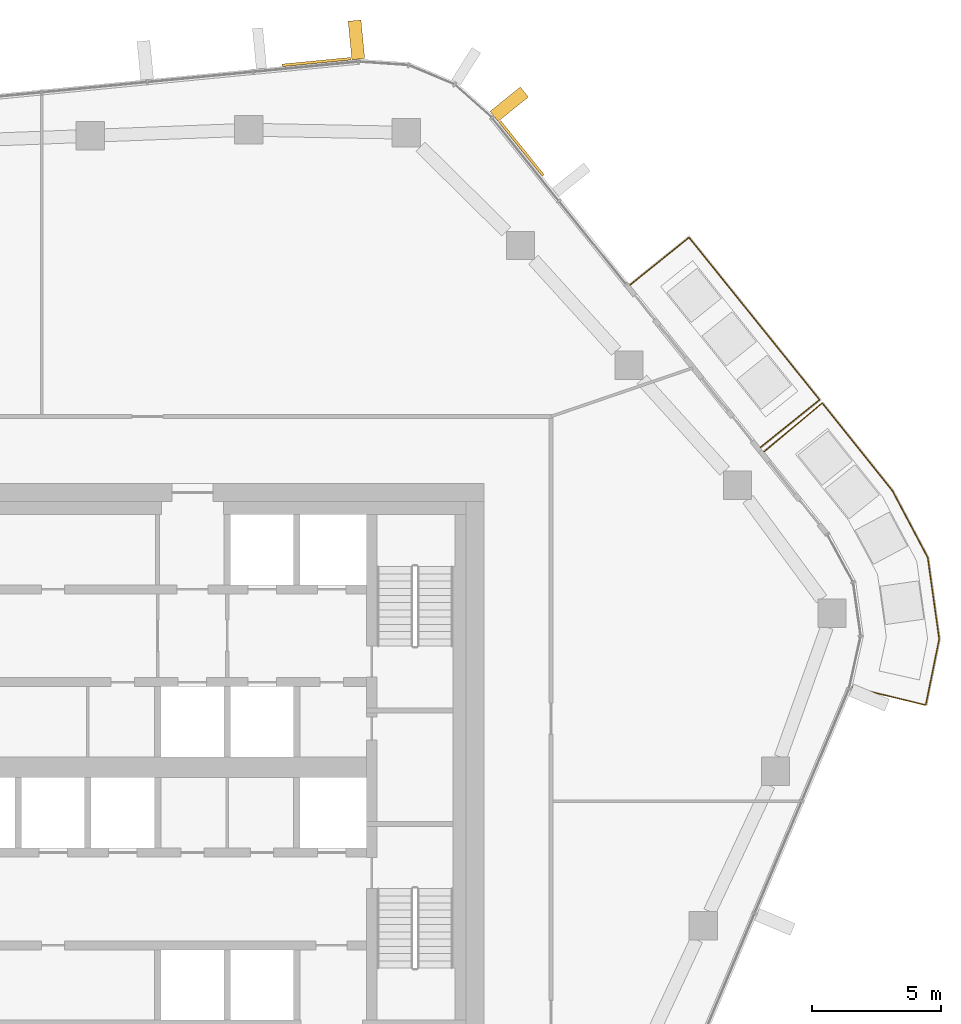
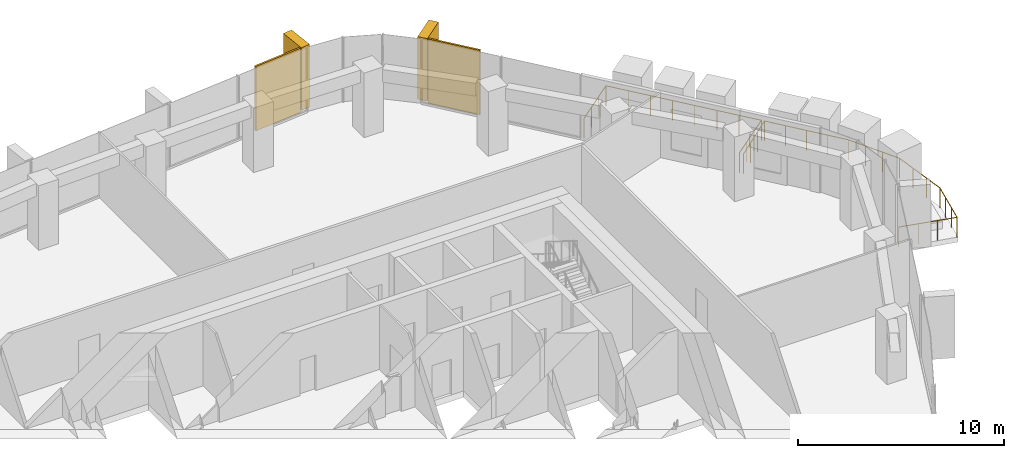
# One storey, part 20 of 20: 4 coverings, 2 railings, 2 elements without a shape of their own.
"""IFC4 building model written with IfcOpenShell, lengths in metres."""

from ifc_helpers import new_model, si_unit, direction, frame, origin, origin_2d, place, context, subcontext, project, spatial, rectangle, circle, extrude, material, layer, layer_set, material_profile, profile_set, type_object, element, aggregate, save


model = new_model("IFC4")

# Units and contexts
model_context = context("Model", 3, precision=1e-05, world=origin(), true_north=direction((0.0, 1.0)))
body_context = subcontext(model_context, "Body", "Model", "MODEL_VIEW")
ifc_project = project(units=[si_unit("LENGTHUNIT", "METRE"), si_unit("AREAUNIT", "SQUARE_METRE"), si_unit("VOLUMEUNIT", "CUBIC_METRE"), si_unit("PLANEANGLEUNIT", "RADIAN"), si_unit("MASSUNIT", "GRAM", prefix="KILO")], contexts=[model_context])

# Site, building, storey
site_placement = place(None, origin())
site = spatial("IfcSite", under=ifc_project, at=site_placement, CompositionType="ELEMENT")
building_placement = place(site_placement, origin())
building = spatial("IfcBuilding", under=site, at=building_placement, Name="Dongbaek Canopy Tower", CompositionType="ELEMENT")
storey_placement = place(building_placement, frame((0.0, 0.0, 258.0)))
storey = spatial("IfcBuildingStorey", under=building, at=storey_placement, Name="L54", CompositionType="ELEMENT", Elevation=258.0)

# Railings
ifc_material_1 = material(Name="Stainless steel", Category="steel")
railing_type = type_object("IfcRailingType", Name="Balcony balustrade 1200", PredefinedType="BALUSTRADE", material=ifc_material_1)
railing_1_placement = place(storey_placement, frame((24.720947265625, 12.40380859375, 0.0)))
element("IfcRailing", 1, at=railing_1_placement, inside=storey, type_object=railing_type, Name="Balcony guard L54 1", PredefinedType="BALUSTRADE", context=body_context, shape_type="SweptSolid", body=[
    extrude(circle(Radius=0.02392578125, at=origin_2d()), frame((0.0, 0.0, 1.17578125), z_axis=(0.779180828262, 0.6267991998, 0.0), x_axis=(-0.6267991998, 0.779180828262, 0.0)), (0.0, 0.0, 1.0), 2.93994140625),
    extrude(circle(Radius=0.02392578125, at=origin_2d()), frame((2.290771484375, 1.8427734375, 1.17578125), z_axis=(-0.626853634745, 0.779137035834, 0.0), x_axis=(-0.779137035834, -0.626853634745, 0.0)), (0.0, 0.0, 1.0), 8.07373046875),
    extrude(circle(Radius=0.02392578125, at=origin_2d()), frame((-2.770263671875, 8.13330078125, 1.17578125), z_axis=(-0.779140271984, -0.626849612406, 0.0), x_axis=(0.626849612406, -0.779140271984, 0.0)), (0.0, 0.0, 1.0), 2.940185546875),
    extrude(circle(Radius=0.02099609375, at=origin_2d()), origin(), (0.0, 0.0, 1.0), 1.15185546875),
    extrude(circle(Radius=0.02099609375, at=origin_2d()), frame((0.763671875, 0.6142578125, 0.0)), (0.0, 0.0, 1.0), 1.15185546875),
    extrude(circle(Radius=0.02099609375, at=origin_2d()), frame((1.527099609375, 1.228515625, 0.0)), (0.0, 0.0, 1.0), 1.15185546875),
    extrude(circle(Radius=0.02099609375, at=origin_2d()), frame((2.290771484375, 1.8427734375, 0.0)), (0.0, 0.0, 1.0), 1.15185546875),
    extrude(circle(Radius=0.02099609375, at=origin_2d()), frame((1.56787109375, 2.741455078125, 0.0)), (0.0, 0.0, 1.0), 1.15185546875),
    extrude(circle(Radius=0.02099609375, at=origin_2d()), frame((0.8447265625, 3.64013671875, 0.0)), (0.0, 0.0, 1.0), 1.15185546875),
    extrude(circle(Radius=0.02099609375, at=origin_2d()), frame((0.121826171875, 4.538818359375, 0.0)), (0.0, 0.0, 1.0), 1.15185546875),
    extrude(circle(Radius=0.02099609375, at=origin_2d()), frame((-0.601318359375, 5.437255859375, 0.0)), (0.0, 0.0, 1.0), 1.15185546875),
    extrude(circle(Radius=0.02099609375, at=origin_2d()), frame((-1.32421875, 6.3359375, 0.0)), (0.0, 0.0, 1.0), 1.15185546875),
    extrude(circle(Radius=0.02099609375, at=origin_2d()), frame((-2.04736328125, 7.234619140625, 0.0)), (0.0, 0.0, 1.0), 1.15185546875),
    extrude(circle(Radius=0.02099609375, at=origin_2d()), frame((-2.770263671875, 8.13330078125, 0.0)), (0.0, 0.0, 1.0), 1.15185546875),
    extrude(circle(Radius=0.02099609375, at=origin_2d()), frame((-3.533935546875, 7.51904296875, 0.0)), (0.0, 0.0, 1.0), 1.15185546875),
    extrude(circle(Radius=0.02099609375, at=origin_2d()), frame((-4.29736328125, 6.904541015625, 0.0)), (0.0, 0.0, 1.0), 1.15185546875),
    extrude(circle(Radius=0.02099609375, at=origin_2d()), frame((-5.06103515625, 6.290283203125, 0.0)), (0.0, 0.0, 1.0), 1.15185546875),
])
railing_2_placement = place(storey_placement, frame((28.269287109375, 3.107177734375, 0.0)))
element("IfcRailing", 2, at=railing_2_placement, inside=storey, type_object=railing_type, Name="Balcony guard L54 5", PredefinedType="BALUSTRADE", context=body_context, shape_type="SweptSolid", body=[
    extrude(circle(Radius=0.02392578125, at=origin_2d()), frame((0.0, 0.0, 1.17578125), z_axis=(0.971504021422, -0.237023071369, 0.0), x_axis=(0.237023071369, 0.971504021422, 0.0)), (0.0, 0.0, 1.0), 2.940673828125),
    extrude(circle(Radius=0.02392578125, at=origin_2d()), frame((2.85693359375, -0.697021484375, 1.17578125), z_axis=(0.199455050694, 0.979906976581, 0.0), x_axis=(-0.979906976581, 0.199455050694, 0.0)), (0.0, 0.0, 1.0), 2.614501953125),
    extrude(circle(Radius=0.02392578125, at=origin_2d()), frame((3.37841796875, 1.864990234375, 1.17578125), z_axis=(-0.139212593341, 0.990262517646, 0.0), x_axis=(-0.990262517646, -0.139212593341, 0.0)), (0.0, 0.0, 1.0), 3.188232421875),
    extrude(circle(Radius=0.02392578125, at=origin_2d()), frame((2.9345703125, 5.022216796875, 1.17578125), z_axis=(-0.467282182104, 0.884108229963, 0.0), x_axis=(-0.884108229963, -0.467282182104, 0.0)), (0.0, 0.0, 1.0), 2.927490234375),
    extrude(circle(Radius=0.02392578125, at=origin_2d()), frame((1.566650390625, 7.6103515625, 1.17578125), z_axis=(-0.624729189866, 0.78084149437, 0.0), x_axis=(-0.78084149437, -0.624729189866, 0.0)), (0.0, 0.0, 1.0), 4.360107421875),
    extrude(circle(Radius=0.02392578125, at=origin_2d()), frame((-1.1572265625, 11.014892578125, 1.17578125), z_axis=(-0.766169127409, -0.642638987461, 0.0), x_axis=(0.642638987461, -0.766169127409, 0.0)), (0.0, 0.0, 1.0), 2.94091796875),
    extrude(circle(Radius=0.02099609375, at=origin_2d()), origin(), (0.0, 0.0, 1.0), 1.15185546875),
    extrude(circle(Radius=0.02099609375, at=origin_2d()), frame((0.952392578125, -0.232421875, 0.0)), (0.0, 0.0, 1.0), 1.15185546875),
    extrude(circle(Radius=0.02099609375, at=origin_2d()), frame((1.904541015625, -0.464599609375, 0.0)), (0.0, 0.0, 1.0), 1.15185546875),
    extrude(circle(Radius=0.02099609375, at=origin_2d()), frame((2.85693359375, -0.697021484375, 0.0)), (0.0, 0.0, 1.0), 1.15185546875),
    extrude(circle(Radius=0.02099609375, at=origin_2d()), frame((3.03076171875, 0.156982421875, 0.0)), (0.0, 0.0, 1.0), 1.15185546875),
    extrude(circle(Radius=0.02099609375, at=origin_2d()), frame((3.20458984375, 1.010986328125, 0.0)), (0.0, 0.0, 1.0), 1.15185546875),
    extrude(circle(Radius=0.02099609375, at=origin_2d()), frame((3.37841796875, 1.864990234375, 0.0)), (0.0, 0.0, 1.0), 1.15185546875),
    extrude(circle(Radius=0.02099609375, at=origin_2d()), frame((3.23046875, 2.91748046875, 0.0)), (0.0, 0.0, 1.0), 1.15185546875),
    extrude(circle(Radius=0.02099609375, at=origin_2d()), frame((3.08251953125, 3.9697265625, 0.0)), (0.0, 0.0, 1.0), 1.15185546875),
    extrude(circle(Radius=0.02099609375, at=origin_2d()), frame((2.9345703125, 5.022216796875, 0.0)), (0.0, 0.0, 1.0), 1.15185546875),
    extrude(circle(Radius=0.02099609375, at=origin_2d()), frame((2.478515625, 5.885009765625, 0.0)), (0.0, 0.0, 1.0), 1.15185546875),
    extrude(circle(Radius=0.02099609375, at=origin_2d()), frame((2.022705078125, 6.74755859375, 0.0)), (0.0, 0.0, 1.0), 1.15185546875),
    extrude(circle(Radius=0.02099609375, at=origin_2d()), frame((1.566650390625, 7.6103515625, 0.0)), (0.0, 0.0, 1.0), 1.15185546875),
    extrude(circle(Radius=0.02099609375, at=origin_2d()), frame((0.8857421875, 8.46142578125, 0.0)), (0.0, 0.0, 1.0), 1.15185546875),
    extrude(circle(Radius=0.02099609375, at=origin_2d()), frame((0.20458984375, 9.3125, 0.0)), (0.0, 0.0, 1.0), 1.15185546875),
    extrude(circle(Radius=0.02099609375, at=origin_2d()), frame((-0.476318359375, 10.163818359375, 0.0)), (0.0, 0.0, 1.0), 1.15185546875),
    extrude(circle(Radius=0.02099609375, at=origin_2d()), frame((-1.1572265625, 11.014892578125, 0.0)), (0.0, 0.0, 1.0), 1.15185546875),
    extrude(circle(Radius=0.02099609375, at=origin_2d()), frame((-1.908203125, 10.385009765625, 0.0)), (0.0, 0.0, 1.0), 1.15185546875),
    extrude(circle(Radius=0.02099609375, at=origin_2d()), frame((-2.659423828125, 9.7548828125, 0.0)), (0.0, 0.0, 1.0), 1.15185546875),
    extrude(circle(Radius=0.02099609375, at=origin_2d()), frame((-3.410400390625, 9.125, 0.0)), (0.0, 0.0, 1.0), 1.15185546875),
])

# Curtain wall, covering
ifc_material_2 = material(Name="Aluminium 6063-T6 pale anodised", Category="aluminium")
ifc_layer_1 = layer(ifc_material_2, 0.199951171875)
ifc_layer_set_1 = layer_set([ifc_layer_1], Name="CW-1 unitised tower curtain wall")
curtain_wall_type = type_object("IfcCurtainWallType", Name="CW-1 unitised tower curtain wall", PredefinedType="NOTDEFINED", material=ifc_layer_set_1)
curtain_wall_1_placement = place(storey_placement, origin())
curtain_wall_1 = element("IfcCurtainWall", 3, at=curtain_wall_1_placement, inside=storey, type_object=curtain_wall_type, Name="CW-1 curtain wall F0.1", PredefinedType="NOTDEFINED")
ifc_material_3 = material(Name="Perforated aluminium 6063-T6 pale metal screen", Category="aluminium")
ifc_layer_2 = layer(ifc_material_3, 0.10009765625)
ifc_layer_set_2 = layer_set([ifc_layer_2], Name="Facet screen FS1 100 pale metal")
covering_type_1 = type_object("IfcCoveringType", Name="Facet screen FS1 100 pale metal", PredefinedType="CLADDING", material=ifc_layer_set_2)
covering_1_placement = place(storey_placement, frame((15.456787109375, 23.991455078125, 0.0), z_axis=(0.0, 0.0, 1.0), x_axis=(-0.62686629467, 0.779126850138, 0.0)))
covering_1 = element("IfcCovering", 4, at=covering_1_placement, type_object=covering_type_1, Name="Facet screen L54 F0", PredefinedType="CLADDING", context=body_context, shape_type="SweptSolid", body=[
    extrude(rectangle(XDim=2.686767578125, YDim=0.10009765625, at=origin_2d()), origin(), (0.0, 0.0, 1.0), 3.820068359375),
])

curtain_wall_2_placement = place(storey_placement, origin())
curtain_wall_2 = element("IfcCurtainWall", 5, at=curtain_wall_2_placement, inside=storey, type_object=curtain_wall_type, Name="CW-1 curtain wall F1.1", PredefinedType="NOTDEFINED")
covering_2_placement = place(storey_placement, frame((7.509521484375, 27.3408203125, 0.0), z_axis=(0.0, 0.0, 1.0), x_axis=(-0.99533241214, -0.096505903151, 0.0)))
covering_2 = element("IfcCovering", 6, at=covering_2_placement, type_object=covering_type_1, Name="Facet screen L54 F1", PredefinedType="CLADDING", context=body_context, shape_type="SweptSolid", body=[
    extrude(rectangle(XDim=2.66748046875, YDim=0.10009765625, at=origin_2d()), origin(), (0.0, 0.0, 1.0), 3.820068359375),
])

# Covering
ifc_material_4 = material(Name="Aluminium 6063-T6 pale metal fin", Category="aluminium")
ifc_material_profile = material_profile(ifc_material_4, rectangle(XDim=1.5, YDim=0.5, at=origin_2d()), Name="Fin FN1 500 x 1500 pale metal")
ifc_profile_set = profile_set([ifc_material_profile], Name="Aluminium 6063-T6 pale metal fin")
covering_type_2 = type_object("IfcCoveringType", Name="Fin FN1 500 x 1500 pale metal", PredefinedType="CLADDING", material=ifc_profile_set)
covering_3_placement = place(storey_placement, frame((14.9814453125, 25.705322265625, 0.1201171875), z_axis=(0.0, 0.0, 1.0), x_axis=(0.779126406475, 0.626866846096, 0.0)))
covering_3 = element("IfcCovering", 7, at=covering_3_placement, type_object=covering_type_2, Name="Fin F0.1.3", PredefinedType="CLADDING", context=body_context, shape_type="SweptSolid", body=[
    extrude(rectangle(XDim=1.5, YDim=0.5, at=origin_2d()), origin(), (0.0, 0.0, 1.0), 3.699951171875),
])

aggregate(curtain_wall_1, [covering_3, covering_1])

covering_4_placement = place(storey_placement, frame((9.0576171875, 28.197998046875, 0.1201171875), z_axis=(0.0, 0.0, 1.0), x_axis=(-0.096505718384, 0.995332430055, 0.0)))
covering_4 = element("IfcCovering", 8, at=covering_4_placement, type_object=covering_type_2, Name="Fin F1.1.1", PredefinedType="CLADDING", context=body_context, shape_type="SweptSolid", body=[
    extrude(rectangle(XDim=1.5, YDim=0.5, at=origin_2d()), origin(), (0.0, 0.0, 1.0), 3.699951171875),
])

aggregate(curtain_wall_2, [covering_4, covering_2])

save(model, "model.ifc")
